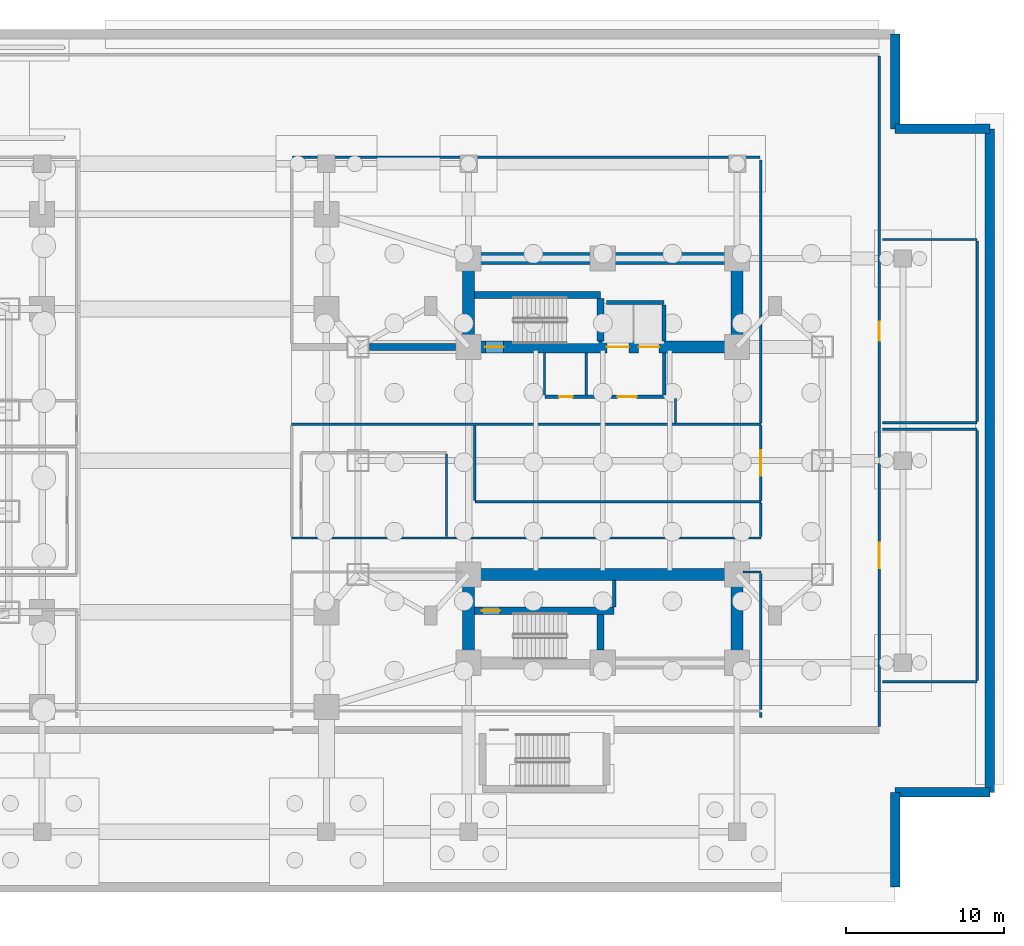
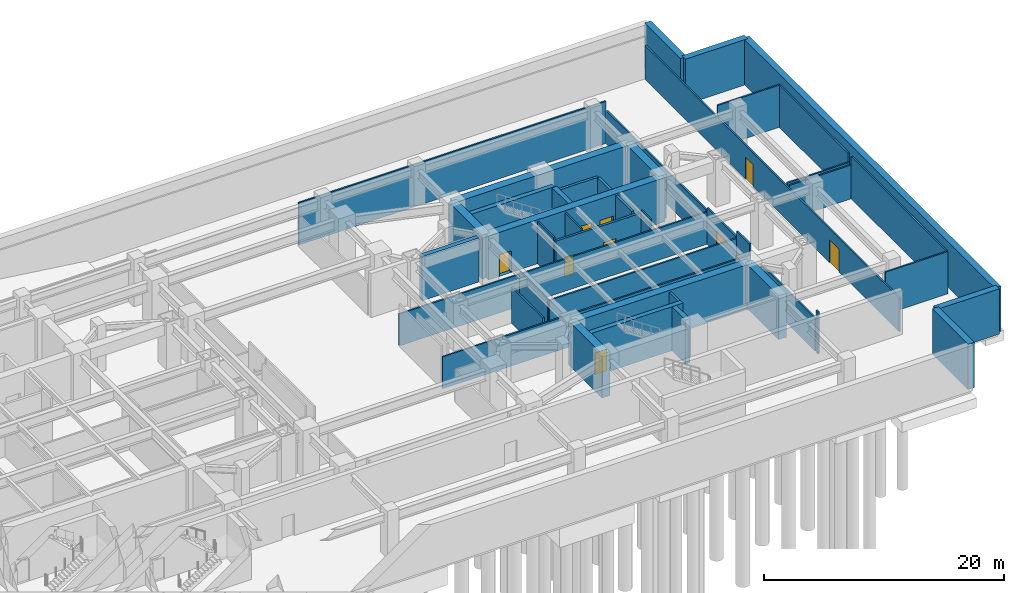
# One storey, part 10 of 16: 44 walls, 9 doors, 9 openings.
"""IFC4 building model written with IfcOpenShell, lengths in metres."""

from ifc_helpers import new_model, si_unit, direction, frame, frame_2d, origin, place, context, subcontext, project, spatial, rectangle, extrude, material, layer, layer_set, type_object, element, fill, save


model = new_model("IFC4")

# Units and contexts
model_context = context("Model", 3, precision=1e-05, world=origin(), true_north=direction((0.0, 1.0)))
body_context = subcontext(model_context, "Body", "Model", "MODEL_VIEW")
ifc_project = project(units=[si_unit("LENGTHUNIT", "METRE"), si_unit("AREAUNIT", "SQUARE_METRE"), si_unit("VOLUMEUNIT", "CUBIC_METRE"), si_unit("PLANEANGLEUNIT", "RADIAN"), si_unit("MASSUNIT", "GRAM", prefix="KILO")], contexts=[model_context])

# Site, building, storey
site_placement = place(None, origin())
site = spatial("IfcSite", under=ifc_project, at=site_placement, CompositionType="ELEMENT")
building_placement = place(site_placement, origin())
building = spatial("IfcBuilding", under=site, at=building_placement, Name="Mirazonda Arch Towers", CompositionType="ELEMENT")
storey_placement = place(building_placement, frame((0.0, 0.0, -4.800048828125)))
storey = spatial("IfcBuildingStorey", under=building, at=storey_placement, Name="B1", CompositionType="ELEMENT", Elevation=-4.800048828125)

# Walls
ifc_material_1 = material(Name="Concrete C50/60", Category="concrete")
ifc_layer_1 = layer(ifc_material_1, 0.60009765625, Name="WALL-BSMT-RET-600")
ifc_layer_set_1 = layer_set([ifc_layer_1], Name="Concrete C50/60")
wall_type_1 = type_object("IfcWallType", Name="WALL-BSMT-RET-600", PredefinedType="USERDEFINED", material=ifc_layer_set_1)
for number, where, z_axis, x_axis, name in (
    (1, (95.0, 1.0, 0.0), (0.0, 0.0, 1.0), (0.0, 1.0, 0.0), "B1 Perimeter Retaining Wall 2"),
    (2, (95.0, 7.0, 0.0), (0.0, 0.0, 1.0), (1.0, 0.0, 0.0), "B1 Perimeter Retaining Wall 3"),
):
    element("IfcWall", number, at=place(storey_placement, frame(where, z_axis=z_axis, x_axis=x_axis)), inside=storey, type_object=wall_type_1, Name=name, ObjectType="RETAININGWALL", PredefinedType="USERDEFINED", context=body_context, shape_type="SweptSolid", body=[
        extrude(rectangle(XDim=6.0, YDim=0.60009765625, at=frame_2d((3.0, 0.0))), origin(), (0.0, 0.0, 1.0), 4.6201171875),
    ])
wall_1_placement = place(storey_placement, frame((101.0, 7.0, 0.0), z_axis=(0.0, 0.0, 1.0), x_axis=(0.0, 1.0, 0.0)))
element("IfcWall", 3, at=wall_1_placement, inside=storey, type_object=wall_type_1, Name="B1 Perimeter Retaining Wall 4", ObjectType="RETAININGWALL", PredefinedType="USERDEFINED", context=body_context, shape_type="SweptSolid", body=[
    extrude(rectangle(XDim=42.0, YDim=0.60009765625, at=frame_2d((21.0, 0.0))), origin(), (0.0, 0.0, 1.0), 4.6201171875),
])
for number, where, z_axis, x_axis, name in (
    (4, (101.0, 49.0, 0.0), (0.0, 0.0, 1.0), (-1.0, 0.0, 0.0), "B1 Perimeter Retaining Wall 5"),
    (5, (95.0, 49.0, 0.0), (0.0, 0.0, 1.0), (0.0, 1.0, 0.0), "B1 Perimeter Retaining Wall 6"),
):
    element("IfcWall", number, at=place(storey_placement, frame(where, z_axis=z_axis, x_axis=x_axis)), inside=storey, type_object=wall_type_1, Name=name, ObjectType="RETAININGWALL", PredefinedType="USERDEFINED", context=body_context, shape_type="SweptSolid", body=[
        extrude(rectangle(XDim=6.0, YDim=0.60009765625, at=frame_2d((3.0, 0.0))), origin(), (0.0, 0.0, 1.0), 4.6201171875),
    ])

# Wall, opening, door
ifc_layer_2 = layer(ifc_material_1, 0.449951171875, Name="WALL-CORE-450")
ifc_layer_set_2 = layer_set([ifc_layer_2], Name="Concrete C50/60")
wall_type_2 = type_object("IfcWallType", Name="WALL-CORE-450", PredefinedType="SHEAR", material=ifc_layer_set_2)
wall_2_placement = place(storey_placement, frame((68.3701171875, 18.5, 0.0), z_axis=(0.0, 0.0, 1.0), x_axis=(1.0, 0.0, 0.0)))
wall_2 = element("IfcWall", 6, at=wall_2_placement, inside=storey, type_object=wall_type_2, Name="B1 Stair Core Shear Wall 012", PredefinedType="SHEAR", context=body_context, shape_type="SweptSolid", body=[
    extrude(rectangle(XDim=8.849853515625, YDim=0.449951171875, at=frame_2d((4.4248046875, 0.0))), origin(), (0.0, 0.0, 1.0), 4.47998046875),
])
opening_1_placement = place(wall_2_placement, frame((0.469970703125, 0.0, 0.0)))
opening_1 = element("IfcOpeningElement", 7, at=opening_1_placement, cuts=wall_2, Name="Opening DR-135", PredefinedType="OPENING", context=body_context, shape_type="SweptSolid", body=[
    extrude(rectangle(XDim=1.14990234375, YDim=2.199951171875, at=frame_2d((0.574951171875, 1.10009765625))), frame((0.0, 0.23486328125, 0.0), z_axis=(0.0, -1.0, 0.0), x_axis=(1.0, 0.0, 0.0)), (0.0, 0.0, 1.0), 0.469970703125),
])
ifc_material_2 = material(Name="Architectural Brushed Steel S355", Category="steel")
door_type_1 = type_object("IfcDoorType", Name="DOOR-STAIR-FD90-1150", OperationType="NOTDEFINED", PredefinedType="DOOR", material=ifc_material_2)
door_1_placement = place(opening_1_placement, origin())
door_1 = element("IfcDoor", 8, at=door_1_placement, inside=storey, type_object=door_type_1, Name="B1 East Protected Stair South Door", OperationType="SINGLE_SWING_RIGHT", OverallHeight=2.199951171875, OverallWidth=1.14990234375, PredefinedType="DOOR", context=body_context, shape_type="SweptSolid", body=[
    extrude(rectangle(XDim=1.14990234375, YDim=2.199951171875, at=frame_2d((0.574951171875, 1.10009765625))), frame((0.0, 0.02490234375, 0.0), z_axis=(0.0, -1.0, 0.0), x_axis=(1.0, 0.0, 0.0)), (0.0, 0.0, 1.0), 0.050048828125),
])
fill(opening_1, door_1)

# Walls
wall_3_placement = place(storey_placement, frame((61.715087890625, 35.199951171875, 0.0), z_axis=(0.0, 0.0, 1.0), x_axis=(1.0, 0.0, 0.0)))
element("IfcWall", 9, at=wall_3_placement, inside=storey, type_object=wall_type_2, Name="B1 Stair Core Shear Wall 032", PredefinedType="SHEAR", context=body_context, shape_type="SweptSolid", body=[
    extrude(rectangle(XDim=5.469970703125, YDim=0.449951171875, at=frame_2d((2.73486328125, 0.0))), origin(), (0.0, 0.0, 1.0), 4.47998046875),
])
wall_4_placement = place(storey_placement, frame((68.3701171875, 38.5, 0.0), z_axis=(0.0, 0.0, 1.0), x_axis=(1.0, 0.0, 0.0)))
element("IfcWall", 10, at=wall_4_placement, inside=storey, type_object=wall_type_2, Name="B1 Stair Core Shear Wall 035", PredefinedType="SHEAR", context=body_context, shape_type="SweptSolid", body=[
    extrude(rectangle(XDim=7.989990234375, YDim=0.449951171875, at=frame_2d((3.9951171875, 0.0))), origin(), (0.0, 0.0, 1.0), 4.47998046875),
])
wall_5_placement = place(storey_placement, frame((76.360107421875, 16.014892578125, 0.0), z_axis=(0.0, 0.0, 1.0), x_axis=(0.0, 1.0, 0.0)))
element("IfcWall", 11, at=wall_5_placement, inside=storey, type_object=wall_type_2, Name="B1 Stair Core Shear Wall 078", PredefinedType="SHEAR", context=body_context, shape_type="SweptSolid", body=[
    extrude(rectangle(XDim=2.25, YDim=0.449951171875, at=frame_2d((1.125, 0.0))), origin(), (0.0, 0.0, 1.0), 4.47998046875),
])
wall_6_placement = place(storey_placement, frame((76.360107421875, 35.570068359375, 0.0), z_axis=(0.0, 0.0, 1.0), x_axis=(0.0, 1.0, 0.0)))
element("IfcWall", 12, at=wall_6_placement, inside=storey, type_object=wall_type_2, Name="B1 Stair Core Shear Wall 079", PredefinedType="SHEAR", context=body_context, shape_type="SweptSolid", body=[
    extrude(rectangle(XDim=2.69482421875, YDim=0.449951171875, at=frame_2d((1.347412109375, 0.0))), origin(), (0.0, 0.0, 1.0), 4.47998046875),
])
ifc_material_3 = material(Name="Concrete C60/75", Category="concrete")
ifc_layer_3 = layer(ifc_material_3, 0.75, Name="WALL-CORE-750")
ifc_layer_set_3 = layer_set([ifc_layer_3], Name="Concrete C60/75")
wall_type_3 = type_object("IfcWallType", Name="WALL-CORE-750", PredefinedType="SHEAR", material=ifc_layer_set_3)
wall_7_placement = place(storey_placement, frame((68.0, 40.800048828125, 0.0), z_axis=(0.0, 0.0, 1.0), x_axis=(1.0, 0.0, 0.0)))
element("IfcWall", 13, at=wall_7_placement, inside=storey, type_object=wall_type_3, Name="B1 T2N-N Core Shear Wall", PredefinedType="SHEAR", context=body_context, shape_type="SweptSolid", body=[
    extrude(rectangle(XDim=17.0, YDim=0.75, at=frame_2d((8.5, 0.0))), origin(), (0.0, 0.0, 1.0), 4.47998046875),
])
for number, where, z_axis, x_axis, name in (
    (14, (68.0, 35.199951171875, 0.0), (0.0, 0.0, 1.0), (0.0, 1.0, 0.0), "B1 T2N-W Core Shear Wall"),
    (15, (85.0, 35.199951171875, 0.0), (0.0, 0.0, 1.0), (0.0, 1.0, 0.0), "B1 T2N-E Core Shear Wall"),
):
    element("IfcWall", number, at=place(storey_placement, frame(where, z_axis=z_axis, x_axis=x_axis)), inside=storey, type_object=wall_type_3, Name=name, PredefinedType="SHEAR", context=body_context, shape_type="SweptSolid", body=[
        extrude(rectangle(XDim=5.60009765625, YDim=0.75, at=frame_2d((2.800048828125, 0.0))), origin(), (0.0, 0.0, 1.0), 4.47998046875),
    ])

# Wall, openings, doors
wall_8_placement = place(storey_placement, frame((68.0, 35.199951171875, 0.0), z_axis=(0.0, 0.0, 1.0), x_axis=(1.0, 0.0, 0.0)))
wall_8 = element("IfcWall", 16, at=wall_8_placement, inside=storey, type_object=wall_type_3, Name="B1 T2N-S Core Shear Wall", PredefinedType="SHEAR", context=body_context, shape_type="SweptSolid", body=[
    extrude(rectangle(XDim=17.0, YDim=0.75, at=frame_2d((8.5, 0.0))), origin(), (0.0, 0.0, 1.0), 4.47998046875),
])
opening_2_placement = place(wall_8_placement, frame((1.070068359375, 0.0, 0.0)))
opening_2 = element("IfcOpeningElement", 17, at=opening_2_placement, cuts=wall_8, Name="Opening DR-135", PredefinedType="OPENING", context=body_context, shape_type="SweptSolid", body=[
    extrude(rectangle(XDim=1.14990234375, YDim=2.199951171875, at=frame_2d((0.574951171875, 1.10009765625))), frame((0.0, 0.385009765625, 0.0), z_axis=(0.0, -1.0, 0.0), x_axis=(1.0, 0.0, 0.0)), (0.0, 0.0, 1.0), 0.77001953125),
])
opening_3_placement = place(wall_8_placement, frame((8.75, 0.0, 0.0)))
opening_3 = element("IfcOpeningElement", 18, at=opening_3_placement, cuts=wall_8, Name="Opening LD-112", PredefinedType="OPENING", context=body_context, shape_type="SweptSolid", body=[
    extrude(rectangle(XDim=1.39990234375, YDim=2.35009765625, at=frame_2d((0.699951171875, 1.175048828125))), frame((0.0, 0.385009765625, 0.0), z_axis=(0.0, -1.0, 0.0), x_axis=(1.0, 0.0, 0.0)), (0.0, 0.0, 1.0), 0.77001953125),
])
opening_4_placement = place(wall_8_placement, frame((10.77001953125, 0.0, 0.0)))
opening_4 = element("IfcOpeningElement", 19, at=opening_4_placement, cuts=wall_8, Name="Opening LD-111", PredefinedType="OPENING", context=body_context, shape_type="SweptSolid", body=[
    extrude(rectangle(XDim=1.300048828125, YDim=2.300048828125, at=frame_2d((0.64990234375, 1.14990234375))), frame((0.0, 0.385009765625, 0.0), z_axis=(0.0, -1.0, 0.0), x_axis=(1.0, 0.0, 0.0)), (0.0, 0.0, 1.0), 0.77001953125),
])
door_type_2 = type_object("IfcDoorType", Name="DOOR-LIFT-FFL-1400", OperationType="NOTDEFINED", PredefinedType="DOOR", material=ifc_material_2)
door_2_placement = place(opening_3_placement, origin())
door_2 = element("IfcDoor", 20, at=door_2_placement, inside=storey, type_object=door_type_2, Name="B1 Lift Landing Sliding Door FFL-T2", OperationType="DOUBLE_DOOR_SLIDING", OverallHeight=2.35009765625, OverallWidth=1.39990234375, PredefinedType="DOOR", context=body_context, shape_type="SweptSolid", body=[
    extrude(rectangle(XDim=1.39990234375, YDim=2.35009765625, at=frame_2d((0.699951171875, 1.175048828125))), frame((0.0, 0.02490234375, 0.0), z_axis=(0.0, -1.0, 0.0), x_axis=(1.0, 0.0, 0.0)), (0.0, 0.0, 1.0), 0.050048828125),
])
fill(opening_3, door_2)
door_type_3 = type_object("IfcDoorType", Name="DOOR-LIFT-LAND-1300", OperationType="NOTDEFINED", PredefinedType="DOOR", material=ifc_material_2)
door_3_placement = place(opening_4_placement, origin())
door_3 = element("IfcDoor", 21, at=door_3_placement, inside=storey, type_object=door_type_3, Name="B1 Lift Landing Sliding Door SVL-T2", OperationType="DOUBLE_DOOR_SLIDING", OverallHeight=2.300048828125, OverallWidth=1.300048828125, PredefinedType="DOOR", context=body_context, shape_type="SweptSolid", body=[
    extrude(rectangle(XDim=1.300048828125, YDim=2.300048828125, at=frame_2d((0.64990234375, 1.14990234375))), frame((0.0, 0.02490234375, 0.0), z_axis=(0.0, -1.0, 0.0), x_axis=(1.0, 0.0, 0.0)), (0.0, 0.0, 1.0), 0.050048828125),
])
fill(opening_4, door_3)
door_4_placement = place(opening_2_placement, origin())
door_4 = element("IfcDoor", 22, at=door_4_placement, inside=storey, type_object=door_type_1, Name="B1 East Protected Stair North Door", OperationType="SINGLE_SWING_LEFT", OverallHeight=2.199951171875, OverallWidth=1.14990234375, PredefinedType="DOOR", context=body_context, shape_type="SweptSolid", body=[
    extrude(rectangle(XDim=1.14990234375, YDim=2.199951171875, at=frame_2d((0.574951171875, 1.10009765625))), frame((0.0, 0.02490234375, 0.0), z_axis=(0.0, -1.0, 0.0), x_axis=(1.0, 0.0, 0.0)), (0.0, 0.0, 1.0), 0.050048828125),
])
fill(opening_2, door_4)

# Walls
for number, where, z_axis, x_axis, name in (
    (23, (68.0, 15.199951171875, 0.0), (0.0, 0.0, 1.0), (0.0, 1.0, 0.0), "B1 T2S-W Core Shear Wall"),
    (24, (85.0, 15.199951171875, 0.0), (0.0, 0.0, 1.0), (0.0, 1.0, 0.0), "B1 T2S-E Core Shear Wall"),
):
    element("IfcWall", number, at=place(storey_placement, frame(where, z_axis=z_axis, x_axis=x_axis)), inside=storey, type_object=wall_type_3, Name=name, PredefinedType="SHEAR", context=body_context, shape_type="SweptSolid", body=[
        extrude(rectangle(XDim=5.60009765625, YDim=0.75, at=frame_2d((2.800048828125, 0.0))), origin(), (0.0, 0.0, 1.0), 4.47998046875),
    ])
wall_9_placement = place(storey_placement, frame((68.0, 20.800048828125, 0.0), z_axis=(0.0, 0.0, 1.0), x_axis=(1.0, 0.0, 0.0)))
element("IfcWall", 25, at=wall_9_placement, inside=storey, type_object=wall_type_3, Name="B1 T2S-N Core Shear Wall", PredefinedType="SHEAR", context=body_context, shape_type="SweptSolid", body=[
    extrude(rectangle(XDim=17.0, YDim=0.75, at=frame_2d((8.5, 0.0))), origin(), (0.0, 0.0, 1.0), 4.47998046875),
])

# Wall, openings, doors
ifc_material_4 = material(Name="Concrete C40/50", Category="concrete")
ifc_layer_4 = layer(ifc_material_4, 0.219970703125, Name="WALL-FFL-220")
ifc_layer_set_4 = layer_set([ifc_layer_4], Name="Concrete C40/50")
wall_type_4 = type_object("IfcWallType", Name="WALL-FFL-220", PredefinedType="SOLIDWALL", material=ifc_layer_set_4)
wall_10_placement = place(storey_placement, frame((72.840087890625, 32.050048828125, 0.0), z_axis=(0.0, 0.0, 1.0), x_axis=(1.0, 0.0, 0.0)))
wall_10 = element("IfcWall", 26, at=wall_10_placement, inside=storey, type_object=wall_type_4, Name="B1 Interior Partition 028", PredefinedType="SOLIDWALL", context=body_context, shape_type="SweptSolid", body=[
    extrude(rectangle(XDim=8.260009765625, YDim=0.219970703125, at=frame_2d((4.1298828125, 0.0))), origin(), (0.0, 0.0, 1.0), 4.009033203125),
])
opening_5_placement = place(wall_10_placement, frame((4.60009765625, 0.0, 0.0)))
opening_5 = element("IfcOpeningElement", 27, at=opening_5_placement, cuts=wall_10, Name="Opening DR-117", PredefinedType="OPENING", context=body_context, shape_type="SweptSolid", body=[
    extrude(rectangle(XDim=1.199951171875, YDim=2.25, at=frame_2d((0.60009765625, 1.125))), frame((0.0, 0.119873046875, 0.0), z_axis=(0.0, -1.0, 0.0), x_axis=(1.0, 0.0, 0.0)), (0.0, 0.0, 1.0), 0.239990234375),
])
opening_6_placement = place(wall_10_placement, frame((0.89990234375, 0.0, 0.0)))
opening_6 = element("IfcOpeningElement", 28, at=opening_6_placement, cuts=wall_10, Name="Opening DR-128", PredefinedType="OPENING", context=body_context, shape_type="SweptSolid", body=[
    extrude(rectangle(XDim=0.85009765625, YDim=2.010009765625, at=frame_2d((0.425048828125, 1.0048828125))), frame((0.0, 0.119873046875, 0.0), z_axis=(0.0, -1.0, 0.0), x_axis=(1.0, 0.0, 0.0)), (0.0, 0.0, 1.0), 0.239990234375),
])
door_type_4 = type_object("IfcDoorType", Name="DOOR-FFL-FD90-1200", OperationType="NOTDEFINED", PredefinedType="DOOR", material=ifc_material_2)
door_5_placement = place(opening_5_placement, origin())
door_5 = element("IfcDoor", 29, at=door_5_placement, inside=storey, type_object=door_type_4, Name="B1 East Firefighting Lift Lobby Door", OperationType="SINGLE_SWING_RIGHT", OverallHeight=2.25, OverallWidth=1.199951171875, PredefinedType="DOOR", context=body_context, shape_type="SweptSolid", body=[
    extrude(rectangle(XDim=1.199951171875, YDim=2.25, at=frame_2d((0.60009765625, 1.125))), frame((0.0, 0.02490234375, 0.0), z_axis=(0.0, -1.0, 0.0), x_axis=(1.0, 0.0, 0.0)), (0.0, 0.0, 1.0), 0.050048828125),
])
fill(opening_5, door_5)
door_type_5 = type_object("IfcDoorType", Name="DOOR-RISER-FD60-850", OperationType="NOTDEFINED", PredefinedType="DOOR", material=ifc_material_2)
door_6_placement = place(opening_6_placement, origin())
door_6 = element("IfcDoor", 30, at=door_6_placement, inside=storey, type_object=door_type_5, Name="B1 Tower 2 Core Service Room Door", OperationType="SINGLE_SWING_LEFT", OverallHeight=2.010009765625, OverallWidth=0.85009765625, PredefinedType="DOOR", context=body_context, shape_type="SweptSolid", body=[
    extrude(rectangle(XDim=0.85009765625, YDim=2.010009765625, at=frame_2d((0.425048828125, 1.0048828125))), frame((0.0, 0.02490234375, 0.0), z_axis=(0.0, -1.0, 0.0), x_axis=(1.0, 0.0, 0.0)), (0.0, 0.0, 1.0), 0.050048828125),
])
fill(opening_6, door_6)

# Walls
wall_11_placement = place(storey_placement, frame((77.219970703125, 18.735107421875, 0.0), z_axis=(0.0, 0.0, 1.0), x_axis=(0.0, 1.0, 0.0)))
element("IfcWall", 31, at=wall_11_placement, inside=storey, type_object=wall_type_4, Name="B1 Interior Partition 081", PredefinedType="SOLIDWALL", context=body_context, shape_type="SweptSolid", body=[
    extrude(rectangle(XDim=1.69482421875, YDim=0.219970703125, at=frame_2d((0.847412109375, 0.0))), origin(), (0.0, 0.0, 1.0), 4.300048828125),
])
wall_12_placement = place(storey_placement, frame((80.3798828125, 32.169921875, 0.0), z_axis=(0.0, 0.0, 1.0), x_axis=(0.0, 1.0, 0.0)))
element("IfcWall", 32, at=wall_12_placement, inside=storey, type_object=wall_type_4, Name="B1 Interior Partition 082", PredefinedType="SOLIDWALL", context=body_context, shape_type="SweptSolid", body=[
    extrude(rectangle(XDim=2.66015625, YDim=0.219970703125, at=frame_2d((1.330078125, 0.0))), origin(), (0.0, 0.0, 1.0), 4.300048828125),
])
ifc_material_5 = material(Name="Fire-Rated Gypsum Stud Partition")
ifc_layer_5 = layer(ifc_material_5, 0.14990234375, Name="WALL-PART-CORR-150")
ifc_layer_set_5 = layer_set([ifc_layer_5], Name="Fire-Rated Gypsum Stud Partition")
wall_type_5 = type_object("IfcWallType", Name="WALL-PART-CORR-150", PredefinedType="PARTITIONING", material=ifc_layer_set_5)
wall_13_placement = place(storey_placement, frame((94.199951171875, 14.0, 0.0), z_axis=(0.0, 0.0, 1.0), x_axis=(1.0, 0.0, 0.0)))
element("IfcWall", 33, at=wall_13_placement, inside=storey, type_object=wall_type_5, Name="B1 Interior Partition 008", PredefinedType="PARTITIONING", context=body_context, shape_type="SweptSolid", body=[
    extrude(rectangle(XDim=6.0, YDim=0.14990234375, at=frame_2d((3.0, 0.0))), origin(), (0.0, 0.0, 1.0), 4.300048828125),
])
wall_14_placement = place(storey_placement, frame((85.3701171875, 20.949951171875, 0.0), z_axis=(0.0, 0.0, 1.0), x_axis=(1.0, 0.0, 0.0)))
element("IfcWall", 34, at=wall_14_placement, inside=storey, type_object=wall_type_5, Name="B1 Interior Partition 015", PredefinedType="PARTITIONING", context=body_context, shape_type="SweptSolid", body=[
    extrude(rectangle(XDim=1.1298828125, YDim=0.14990234375, at=frame_2d((0.56494140625, 0.0))), origin(), (0.0, 0.0, 1.0), 3.3720703125),
])
wall_15_placement = place(storey_placement, frame((56.800048828125, 23.10009765625, 0.0), z_axis=(0.0, 0.0, 1.0), x_axis=(1.0, 0.0, 0.0)))
element("IfcWall", 35, at=wall_15_placement, inside=storey, type_object=wall_type_5, Name="B1 Interior Partition 017", PredefinedType="PARTITIONING", context=body_context, shape_type="SweptSolid", body=[
    extrude(rectangle(XDim=29.699951171875, YDim=0.14990234375, at=frame_2d((14.85009765625, 0.0))), origin(), (0.0, 0.0, 1.0), 3.251953125),
])
wall_16_placement = place(storey_placement, frame((68.39990234375, 25.39990234375, 0.0), z_axis=(0.0, 0.0, 1.0), x_axis=(1.0, 0.0, 0.0)))
element("IfcWall", 36, at=wall_16_placement, inside=storey, type_object=wall_type_5, Name="B1 Interior Partition 019", PredefinedType="PARTITIONING", context=body_context, shape_type="SweptSolid", body=[
    extrude(rectangle(XDim=18.10009765625, YDim=0.14990234375, at=frame_2d((9.050048828125, 0.0))), origin(), (0.0, 0.0, 1.0), 3.545166015625),
])
wall_17_placement = place(storey_placement, frame((94.199951171875, 30.0, 0.0), z_axis=(0.0, 0.0, 1.0), x_axis=(1.0, 0.0, 0.0)))
element("IfcWall", 37, at=wall_17_placement, inside=storey, type_object=wall_type_5, Name="B1 Interior Partition 024", PredefinedType="PARTITIONING", context=body_context, shape_type="SweptSolid", body=[
    extrude(rectangle(XDim=6.0, YDim=0.14990234375, at=frame_2d((3.0, 0.0))), origin(), (0.0, 0.0, 1.0), 3.43603515625),
])
wall_18_placement = place(storey_placement, frame((56.800048828125, 30.300048828125, 0.0), z_axis=(0.0, 0.0, 1.0), x_axis=(1.0, 0.0, 0.0)))
element("IfcWall", 38, at=wall_18_placement, inside=storey, type_object=wall_type_5, Name="B1 Interior Partition 025", PredefinedType="PARTITIONING", context=body_context, shape_type="SweptSolid", body=[
    extrude(rectangle(XDim=29.699951171875, YDim=0.14990234375, at=frame_2d((14.85009765625, 0.0))), origin(), (0.0, 0.0, 1.0), 3.251953125),
])
wall_19_placement = place(storey_placement, frame((94.199951171875, 30.39990234375, 0.0), z_axis=(0.0, 0.0, 1.0), x_axis=(1.0, 0.0, 0.0)))
element("IfcWall", 39, at=wall_19_placement, inside=storey, type_object=wall_type_5, Name="B1 Interior Partition 026", PredefinedType="PARTITIONING", context=body_context, shape_type="SweptSolid", body=[
    extrude(rectangle(XDim=6.0, YDim=0.14990234375, at=frame_2d((3.0, 0.0))), origin(), (0.0, 0.0, 1.0), 3.43603515625),
])
wall_20_placement = place(storey_placement, frame((94.199951171875, 42.0, 0.0), z_axis=(0.0, 0.0, 1.0), x_axis=(1.0, 0.0, 0.0)))
element("IfcWall", 40, at=wall_20_placement, inside=storey, type_object=wall_type_5, Name="B1 Interior Partition 037", PredefinedType="PARTITIONING", context=body_context, shape_type="SweptSolid", body=[
    extrude(rectangle(XDim=6.0, YDim=0.14990234375, at=frame_2d((3.0, 0.0))), origin(), (0.0, 0.0, 1.0), 4.300048828125),
])
wall_21_placement = place(storey_placement, frame((56.85009765625, 47.199951171875, 0.0), z_axis=(0.0, 0.0, 1.0), x_axis=(1.0, 0.0, 0.0)))
element("IfcWall", 41, at=wall_21_placement, inside=storey, type_object=wall_type_5, Name="B1 Interior Partition 039", PredefinedType="PARTITIONING", context=body_context, shape_type="SweptSolid", body=[
    extrude(rectangle(XDim=29.599853515625, YDim=0.14990234375, at=frame_2d((14.7998046875, 0.0))), origin(), (0.0, 0.0, 1.0), 4.300048828125),
])
wall_22_placement = place(storey_placement, frame((66.60009765625, 23.18505859375, 0.0), z_axis=(0.0, 0.0, 1.0), x_axis=(0.0, 1.0, 0.0)))
element("IfcWall", 42, at=wall_22_placement, inside=storey, type_object=wall_type_5, Name="B1 Interior Partition 073", PredefinedType="PARTITIONING", context=body_context, shape_type="SweptSolid", body=[
    extrude(rectangle(XDim=5.22998046875, YDim=0.14990234375, at=frame_2d((2.614990234375, 0.0))), origin(), (0.0, 0.0, 1.0), 3.698974609375),
])
wall_23_placement = place(storey_placement, frame((68.39990234375, 25.485107421875, 0.0), z_axis=(0.0, 0.0, 1.0), x_axis=(0.0, 1.0, 0.0)))
element("IfcWall", 43, at=wall_23_placement, inside=storey, type_object=wall_type_5, Name="B1 Interior Partition 074", PredefinedType="PARTITIONING", context=body_context, shape_type="SweptSolid", body=[
    extrude(rectangle(XDim=4.72998046875, YDim=0.14990234375, at=frame_2d((2.364990234375, 0.0))), origin(), (0.0, 0.0, 1.0), 3.545166015625),
])
for number, where, z_axis, x_axis, name in (
    (44, (72.81005859375, 32.169921875, 0.0), (0.0, 0.0, 1.0), (0.0, 1.0, 0.0), "B1 Interior Partition 076"),
    (45, (75.449951171875, 32.169921875, 0.0), (0.0, 0.0, 1.0), (0.0, 1.0, 0.0), "B1 Interior Partition 077"),
):
    element("IfcWall", number, at=place(storey_placement, frame(where, z_axis=z_axis, x_axis=x_axis)), inside=storey, type_object=wall_type_5, Name=name, PredefinedType="PARTITIONING", context=body_context, shape_type="SweptSolid", body=[
        extrude(rectangle(XDim=2.66015625, YDim=0.14990234375, at=frame_2d((1.330078125, 0.0))), origin(), (0.0, 0.0, 1.0), 4.300048828125),
    ])
wall_24_placement = place(storey_placement, frame((81.10009765625, 30.385009765625, 0.0), z_axis=(0.0, 0.0, 1.0), x_axis=(0.0, 1.0, 0.0)))
element("IfcWall", 46, at=wall_24_placement, inside=storey, type_object=wall_type_5, Name="B1 Interior Partition 084", PredefinedType="PARTITIONING", context=body_context, shape_type="SweptSolid", body=[
    extrude(rectangle(XDim=1.544921875, YDim=0.14990234375, at=frame_2d((0.7724609375, 0.0))), origin(), (0.0, 0.0, 1.0), 4.300048828125),
])
wall_25_placement = place(storey_placement, frame((86.5, 11.75, 0.0), z_axis=(0.0, 0.0, 1.0), x_axis=(0.0, 1.0, 0.0)))
element("IfcWall", 47, at=wall_25_placement, inside=storey, type_object=wall_type_5, Name="B1 Interior Partition 085", PredefinedType="PARTITIONING", context=body_context, shape_type="SweptSolid", body=[
    extrude(rectangle(XDim=0.31494140625, YDim=0.14990234375, at=frame_2d((0.157470703125, 0.0))), origin(), (0.0, 0.0, 1.0), 4.300048828125),
])
wall_26_placement = place(storey_placement, frame((86.5, 12.235107421875, 0.0), z_axis=(0.0, 0.0, 1.0), x_axis=(0.0, 1.0, 0.0)))
element("IfcWall", 48, at=wall_26_placement, inside=storey, type_object=wall_type_5, Name="B1 Interior Partition 086", PredefinedType="PARTITIONING", context=body_context, shape_type="SweptSolid", body=[
    extrude(rectangle(XDim=8.6298828125, YDim=0.14990234375, at=frame_2d((4.31494140625, 0.0))), origin(), (0.0, 0.0, 1.0), 3.3720703125),
])
wall_27_placement = place(storey_placement, frame((86.5, 23.18505859375, 0.0), z_axis=(0.0, 0.0, 1.0), x_axis=(0.0, 1.0, 0.0)))
element("IfcWall", 49, at=wall_27_placement, inside=storey, type_object=wall_type_5, Name="B1 Interior Partition 087", PredefinedType="PARTITIONING", context=body_context, shape_type="SweptSolid", body=[
    extrude(rectangle(XDim=2.1298828125, YDim=0.14990234375, at=frame_2d((1.06494140625, 0.0))), origin(), (0.0, 0.0, 1.0), 4.300048828125),
])

# Wall, opening, door
wall_28_placement = place(storey_placement, frame((86.5, 25.485107421875, 0.0), z_axis=(0.0, 0.0, 1.0), x_axis=(0.0, 1.0, 0.0)))
wall_28 = element("IfcWall", 50, at=wall_28_placement, inside=storey, type_object=wall_type_5, Name="B1 Interior Partition 088", PredefinedType="PARTITIONING", context=body_context, shape_type="SweptSolid", body=[
    extrude(rectangle(XDim=4.72998046875, YDim=0.14990234375, at=frame_2d((2.364990234375, 0.0))), origin(), (0.0, 0.0, 1.0), 3.698974609375),
])
opening_7_placement = place(wall_28_placement, frame((1.56494140625, 0.0, 0.0)))
opening_7 = element("IfcOpeningElement", 51, at=opening_7_placement, cuts=wall_28, Name="Opening DR-113", PredefinedType="OPENING", context=body_context, shape_type="SweptSolid", body=[
    extrude(rectangle(XDim=1.60009765625, YDim=2.300048828125, at=frame_2d((0.800048828125, 1.14990234375))), frame((0.0, 0.0849609375, 0.0), z_axis=(0.0, -1.0, 0.0), x_axis=(1.0, 0.0, 0.0)), (0.0, 0.0, 1.0), 0.169921875),
])
door_type_6 = type_object("IfcDoorType", Name="DOOR-PLANT-FD60-1600", OperationType="NOTDEFINED", PredefinedType="DOOR", material=ifc_material_2)
door_7_placement = place(opening_7_placement, origin())
door_7 = element("IfcDoor", 52, at=door_7_placement, inside=storey, type_object=door_type_6, Name="B1 Central Water-Cooled Chiller Plant Hall Door", OperationType="SINGLE_SWING_LEFT", OverallHeight=2.300048828125, OverallWidth=1.60009765625, PredefinedType="DOOR", context=body_context, shape_type="SweptSolid", body=[
    extrude(rectangle(XDim=1.60009765625, YDim=2.300048828125, at=frame_2d((0.800048828125, 1.14990234375))), frame((0.0, 0.02490234375, 0.0), z_axis=(0.0, -1.0, 0.0), x_axis=(1.0, 0.0, 0.0)), (0.0, 0.0, 1.0), 0.050048828125),
])
fill(opening_7, door_7)

# Wall
wall_29_placement = place(storey_placement, frame((86.5, 30.385009765625, 0.0), z_axis=(0.0, 0.0, 1.0), x_axis=(0.0, 1.0, 0.0)))
element("IfcWall", 53, at=wall_29_placement, inside=storey, type_object=wall_type_5, Name="B1 Interior Partition 089", PredefinedType="PARTITIONING", context=body_context, shape_type="SweptSolid", body=[
    extrude(rectangle(XDim=16.6650390625, YDim=0.14990234375, at=frame_2d((8.33251953125, 0.0))), origin(), (0.0, 0.0, 1.0), 3.3720703125),
])

# Wall, openings, doors
wall_30_placement = place(storey_placement, frame((94.0, 11.18505859375, 0.0), z_axis=(0.0, 0.0, 1.0), x_axis=(0.0, 1.0, 0.0)))
wall_30 = element("IfcWall", 54, at=wall_30_placement, inside=storey, type_object=wall_type_5, Name="B1 Interior Partition 090", PredefinedType="PARTITIONING", context=body_context, shape_type="SweptSolid", body=[
    extrude(rectangle(XDim=42.429931640625, YDim=0.14990234375, at=frame_2d((21.21484375, 0.0))), origin(), (0.0, 0.0, 1.0), 3.43603515625),
])
opening_8_placement = place(wall_30_placement, frame((10.014892578125, 0.0, 0.0)))
opening_8 = element("IfcOpeningElement", 55, at=opening_8_placement, cuts=wall_30, Name="Opening DR-113", PredefinedType="OPENING", context=body_context, shape_type="SweptSolid", body=[
    extrude(rectangle(XDim=1.60009765625, YDim=2.300048828125, at=frame_2d((0.800048828125, 1.14990234375))), frame((0.0, 0.0849609375, 0.0), z_axis=(0.0, -1.0, 0.0), x_axis=(1.0, 0.0, 0.0)), (0.0, 0.0, 1.0), 0.169921875),
])
opening_9_placement = place(wall_30_placement, frame((24.4150390625, 0.0, 0.0)))
opening_9 = element("IfcOpeningElement", 56, at=opening_9_placement, cuts=wall_30, Name="Opening DR-117", PredefinedType="OPENING", context=body_context, shape_type="SweptSolid", body=[
    extrude(rectangle(XDim=1.199951171875, YDim=2.25, at=frame_2d((0.60009765625, 1.125))), frame((0.0, 0.0849609375, 0.0), z_axis=(0.0, -1.0, 0.0), x_axis=(1.0, 0.0, 0.0)), (0.0, 0.0, 1.0), 0.169921875),
])
door_8_placement = place(opening_9_placement, origin())
door_8 = element("IfcDoor", 57, at=door_8_placement, inside=storey, type_object=door_type_4, Name="B1 Secure Bicycle Storage & Commuter Lockers Door", OperationType="SINGLE_SWING_RIGHT", OverallHeight=2.25, OverallWidth=1.199951171875, PredefinedType="DOOR", context=body_context, shape_type="SweptSolid", body=[
    extrude(rectangle(XDim=1.199951171875, YDim=2.25, at=frame_2d((0.60009765625, 1.125))), frame((0.0, 0.02490234375, 0.0), z_axis=(0.0, -1.0, 0.0), x_axis=(1.0, 0.0, 0.0)), (0.0, 0.0, 1.0), 0.050048828125),
])
fill(opening_9, door_8)
door_9_placement = place(opening_8_placement, origin())
door_9 = element("IfcDoor", 58, at=door_9_placement, inside=storey, type_object=door_type_6, Name="B1 Service Loading Dock & Refuse Marshalling Bay Door", OperationType="SINGLE_SWING_LEFT", OverallHeight=2.300048828125, OverallWidth=1.60009765625, PredefinedType="DOOR", context=body_context, shape_type="SweptSolid", body=[
    extrude(rectangle(XDim=1.60009765625, YDim=2.300048828125, at=frame_2d((0.800048828125, 1.14990234375))), frame((0.0, 0.02490234375, 0.0), z_axis=(0.0, -1.0, 0.0), x_axis=(1.0, 0.0, 0.0)), (0.0, 0.0, 1.0), 0.050048828125),
])
fill(opening_8, door_9)

# Walls
wall_31_placement = place(storey_placement, frame((100.199951171875, 14.0849609375, 0.0), z_axis=(0.0, 0.0, 1.0), x_axis=(0.0, 1.0, 0.0)))
element("IfcWall", 59, at=wall_31_placement, inside=storey, type_object=wall_type_5, Name="B1 Interior Partition 091", PredefinedType="PARTITIONING", context=body_context, shape_type="SweptSolid", body=[
    extrude(rectangle(XDim=15.830078125, YDim=0.14990234375, at=frame_2d((7.9150390625, 0.0))), origin(), (0.0, 0.0, 1.0), 4.300048828125),
])
wall_32_placement = place(storey_placement, frame((100.199951171875, 30.485107421875, 0.0), z_axis=(0.0, 0.0, 1.0), x_axis=(0.0, 1.0, 0.0)))
element("IfcWall", 60, at=wall_32_placement, inside=storey, type_object=wall_type_5, Name="B1 Interior Partition 092", PredefinedType="PARTITIONING", context=body_context, shape_type="SweptSolid", body=[
    extrude(rectangle(XDim=11.429931640625, YDim=0.14990234375, at=frame_2d((5.71484375, 0.0))), origin(), (0.0, 0.0, 1.0), 4.300048828125),
])
ifc_layer_6 = layer(ifc_material_4, 0.25, Name="WALL-SHAFT-250")
ifc_layer_set_6 = layer_set([ifc_layer_6], Name="Concrete C40/50")
wall_type_6 = type_object("IfcWallType", Name="WALL-SHAFT-250", PredefinedType="SOLIDWALL", material=ifc_layer_set_6)
wall_33_placement = place(storey_placement, frame((76.719970703125, 38.0, 0.0), z_axis=(0.0, 0.0, 1.0), x_axis=(1.0, 0.0, 0.0)))
element("IfcWall", 61, at=wall_33_placement, inside=storey, type_object=wall_type_6, Name="B1 Interior Partition 034", PredefinedType="SOLIDWALL", context=body_context, shape_type="SweptSolid", body=[
    extrude(rectangle(XDim=3.659912109375, YDim=0.25, at=frame_2d((1.830078125, 0.0))), origin(), (0.0, 0.0, 1.0), 4.300048828125),
])
wall_34_placement = place(storey_placement, frame((80.3798828125, 35.570068359375, 0.0), z_axis=(0.0, 0.0, 1.0), x_axis=(0.0, 1.0, 0.0)))
element("IfcWall", 62, at=wall_34_placement, inside=storey, type_object=wall_type_6, Name="B1 Interior Partition 083", PredefinedType="SOLIDWALL", context=body_context, shape_type="SweptSolid", body=[
    extrude(rectangle(XDim=2.294921875, YDim=0.25, at=frame_2d((1.1474609375, 0.0))), origin(), (0.0, 0.0, 1.0), 4.300048828125),
])

save(model, "model.ifc")
